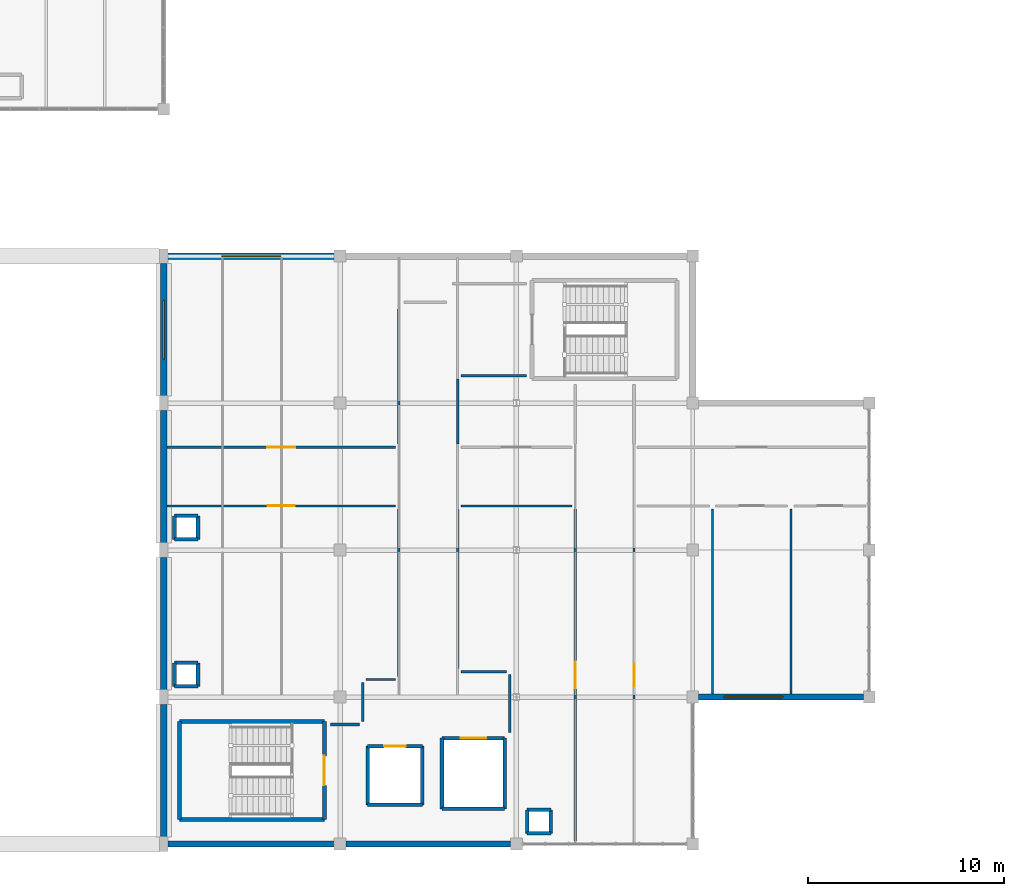
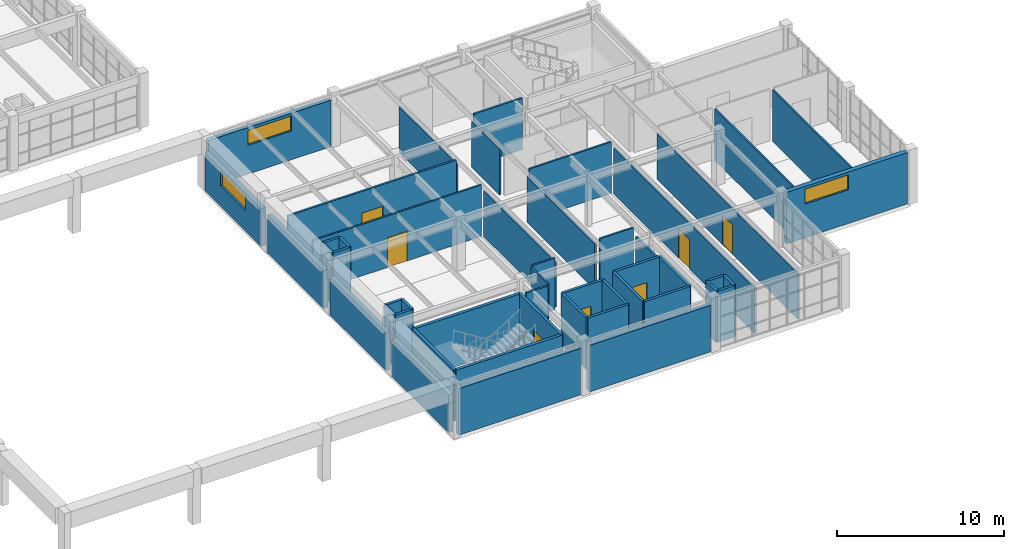
# One storey, part 67 of 76: 49 walls, 7 doors, 3 windows, 10 openings.
"""IFC4 building model written with IfcOpenShell, lengths in metres."""

from ifc_helpers import new_model, si_unit, direction, frame, frame_2d, origin, place, context, subcontext, project, spatial, rectangle, extrude, material, layer, layer_set, type_object, element, fill, save


model = new_model("IFC4")

# Units and contexts
model_context = context("Model", 3, precision=1e-05, world=origin(), true_north=direction((0.0, 1.0)))
body_context = subcontext(model_context, "Body", "Model", "MODEL_VIEW")
ifc_project = project(units=[si_unit("LENGTHUNIT", "METRE"), si_unit("AREAUNIT", "SQUARE_METRE"), si_unit("VOLUMEUNIT", "CUBIC_METRE"), si_unit("PLANEANGLEUNIT", "RADIAN"), si_unit("MASSUNIT", "GRAM", prefix="KILO")], contexts=[model_context])

# Site, building, storey
site_placement = place(None, origin())
site = spatial("IfcSite", under=ifc_project, at=site_placement, CompositionType="ELEMENT")
building_placement = place(site_placement, origin())
building = spatial("IfcBuilding", under=site, at=building_placement, Name="Marnridge Secondary College", CompositionType="ELEMENT")
storey_placement = place(building_placement, frame((0.0, 0.0, 4.5)))
storey = spatial("IfcBuildingStorey", under=building, at=storey_placement, Name="L01", CompositionType="ELEMENT", Elevation=4.5)

# Wall
ifc_material_1 = material(Name="Concrete C40/50 (AS 3600 N40, 40 MPa)", Category="concrete")
ifc_layer_1 = layer(ifc_material_1, 0.199951171875)
ifc_layer_set_1 = layer_set([ifc_layer_1], Name="WT-CORE-RC200")
wall_type_1 = type_object("IfcWallType", Name="WT-CORE-RC200", PredefinedType="SHEAR", material=ifc_layer_set_1)
wall_1_placement = place(storey_placement, frame((90.800048828125, 1.25, 0.0), z_axis=(0.0, 0.0, 1.0), x_axis=(1.0, 0.0, 0.0)))
element("IfcWall", 1, at=wall_1_placement, inside=storey, type_object=wall_type_1, Name="Stair core shear wall WC-L01-0373", PredefinedType="SHEAR", context=body_context, shape_type="SweptSolid", body=[
    extrude(rectangle(XDim=7.39990234375, YDim=0.199951171875, at=frame_2d((3.699951171875, 0.0))), origin(), (0.0, 0.0, 1.0), 3.77001953125),
])

# Wall, opening, door
wall_2_placement = place(storey_placement, frame((98.199951171875, 1.25, 0.0), z_axis=(0.0, 0.0, 1.0), x_axis=(0.0, 1.0, 0.0)))
wall_2 = element("IfcWall", 2, at=wall_2_placement, inside=storey, type_object=wall_type_1, Name="Stair core shear wall WC-L01-0374", PredefinedType="SHEAR", context=body_context, shape_type="SweptSolid", body=[
    extrude(rectangle(XDim=5.0, YDim=0.199951171875, at=frame_2d((2.5, 0.0))), origin(), (0.0, 0.0, 1.0), 3.77001953125),
])
opening_1_placement = place(wall_2_placement, frame((1.75, 0.0, 0.0)))
opening_1 = element("IfcOpeningElement", 3, at=opening_1_placement, cuts=wall_2, Name="Opening DC-L01-032", PredefinedType="OPENING", context=body_context, shape_type="SweptSolid", body=[
    extrude(rectangle(XDim=1.5, YDim=2.14990234375, at=frame_2d((0.75, 1.074951171875))), frame((0.0, 0.10986328125, 0.0), z_axis=(0.0, -1.0, 0.0), x_axis=(1.0, 0.0, 0.0)), (0.0, 0.0, 1.0), 0.219970703125),
])
ifc_material_2 = material(Name="Fire-rated solid-core timber doorset", Category="wood")
door_type_1 = type_object("IfcDoorType", Name="DT-CORE-FD150", OperationType="DOUBLE_DOOR_SINGLE_SWING", PredefinedType="DOOR", material=ifc_material_2)
door_1_placement = place(opening_1_placement, origin())
door_1 = element("IfcDoor", 4, at=door_1_placement, inside=storey, type_object=door_type_1, Name="Fire stair door DC-L01-032", OperationType="DOUBLE_DOOR_SINGLE_SWING", OverallHeight=2.14990234375, OverallWidth=1.5, PredefinedType="DOOR", context=body_context, shape_type="SweptSolid", body=[
    extrude(rectangle(XDim=1.5, YDim=2.14990234375, at=frame_2d((0.75, 1.074951171875))), frame((0.0, 0.02490234375, 0.0), z_axis=(0.0, -1.0, 0.0), x_axis=(1.0, 0.0, 0.0)), (0.0, 0.0, 1.0), 0.050048828125),
])
fill(opening_1, door_1)

# Walls
wall_3_placement = place(storey_placement, frame((98.199951171875, 6.25, 0.0), z_axis=(0.0, 0.0, 1.0), x_axis=(-1.0, 0.0, 0.0)))
element("IfcWall", 5, at=wall_3_placement, inside=storey, type_object=wall_type_1, Name="Stair core shear wall WC-L01-0375", PredefinedType="SHEAR", context=body_context, shape_type="SweptSolid", body=[
    extrude(rectangle(XDim=7.39990234375, YDim=0.199951171875, at=frame_2d((3.699951171875, 0.0))), origin(), (0.0, 0.0, 1.0), 3.77001953125),
])
wall_4_placement = place(storey_placement, frame((90.800048828125, 6.25, 0.0), z_axis=(0.0, 0.0, 1.0), x_axis=(0.0, -1.0, 0.0)))
element("IfcWall", 6, at=wall_4_placement, inside=storey, type_object=wall_type_1, Name="Stair core shear wall WC-L01-0376", PredefinedType="SHEAR", context=body_context, shape_type="SweptSolid", body=[
    extrude(rectangle(XDim=5.0, YDim=0.199951171875, at=frame_2d((2.5, 0.0))), origin(), (0.0, 0.0, 1.0), 3.77001953125),
])

# Wall, opening, window
ifc_material_3 = material(Name="Concrete C40/50 (AS 3600 N40, 40 MPa)", Category="concrete")
ifc_layer_2 = layer(ifc_material_3, 0.320068359375)
ifc_layer_set_2 = layer_set([ifc_layer_2], Name="WT-EXT-RC320")
wall_type_2 = type_object("IfcWallType", Name="WT-EXT-RC320", PredefinedType="SOLIDWALL", material=ifc_layer_set_2)
wall_5_placement = place(storey_placement, frame((90.220947265625, 30.0, 0.0), z_axis=(0.0, 0.0, 1.0), x_axis=(1.0, 0.0, 0.0)))
wall_5 = element("IfcWall", 7, at=wall_5_placement, inside=storey, type_object=wall_type_2, Name="Exterior wall WE-L01-0102", PredefinedType="SOLIDWALL", context=body_context, shape_type="SweptSolid", body=[
    extrude(rectangle(XDim=8.483154296875, YDim=0.320068359375, at=frame_2d((4.24169921875, 0.0))), origin(), (0.0, 0.0, 1.0), 3.409912109375),
])
opening_2_placement = place(wall_5_placement, frame((2.741455078125, 0.0, 2.110107421875)))
opening_2 = element("IfcOpeningElement", 8, at=opening_2_placement, cuts=wall_5, Name="Opening WN-L01-0035", PredefinedType="OPENING", context=body_context, shape_type="SweptSolid", body=[
    extrude(rectangle(XDim=3.0, YDim=1.10009765625, at=frame_2d((1.5, 0.550048828125))), frame((0.0, 0.169921875, 0.0), z_axis=(0.0, -1.0, 0.0), x_axis=(1.0, 0.0, 0.0)), (0.0, 0.0, 1.0), 0.340087890625),
])
ifc_material_4 = material(Name="Translucent acoustic clerestory double glazing", Category="glass")
window_type = type_object("IfcWindowType", Name="WN-EXT-CL3011", PartitioningType="TRIPLE_PANEL_VERTICAL", PredefinedType="WINDOW", material=ifc_material_4)
window_1_placement = place(opening_2_placement, origin())
window_1 = element("IfcWindow", 9, at=window_1_placement, inside=storey, type_object=window_type, Name="Facade window WN-L01-0035", OverallHeight=1.10009765625, OverallWidth=3.0, PartitioningType="TRIPLE_PANEL_VERTICAL", PredefinedType="WINDOW", context=body_context, shape_type="SweptSolid", body=[
    extrude(rectangle(XDim=3.0, YDim=1.10009765625, at=frame_2d((1.5, 0.550048828125))), frame((0.0, 0.030029296875, 0.0), z_axis=(0.0, -1.0, 0.0), x_axis=(1.0, 0.0, 0.0)), (0.0, 0.0, 1.0), 0.06005859375),
])
fill(opening_2, window_1)

wall_6_placement = place(storey_placement, frame((125.7041015625, 7.5, 0.0), z_axis=(0.0, 0.0, 1.0), x_axis=(-1.0, 0.0, 0.0)))
wall_6 = element("IfcWall", 10, at=wall_6_placement, inside=storey, type_object=wall_type_2, Name="Exterior wall WE-L01-0107", PredefinedType="SOLIDWALL", context=body_context, shape_type="SweptSolid", body=[
    extrude(rectangle(XDim=8.408203125, YDim=0.320068359375, at=frame_2d((4.2041015625, 0.0))), origin(), (0.0, 0.0, 1.0), 3.77001953125),
])
opening_3_placement = place(wall_6_placement, frame((4.110107421875, 0.0, 2.469970703125)))
opening_3 = element("IfcOpeningElement", 11, at=opening_3_placement, cuts=wall_6, Name="Opening WN-L01-0036", PredefinedType="OPENING", context=body_context, shape_type="SweptSolid", body=[
    extrude(rectangle(XDim=3.0, YDim=1.10009765625, at=frame_2d((1.5, 0.550048828125))), frame((0.0, 0.169921875, 0.0), z_axis=(0.0, -1.0, 0.0), x_axis=(1.0, 0.0, 0.0)), (0.0, 0.0, 1.0), 0.340087890625),
])
window_2_placement = place(opening_3_placement, origin())
window_2 = element("IfcWindow", 12, at=window_2_placement, inside=storey, type_object=window_type, Name="Facade window WN-L01-0036", OverallHeight=1.10009765625, OverallWidth=3.0, PartitioningType="TRIPLE_PANEL_VERTICAL", PredefinedType="WINDOW", context=body_context, shape_type="SweptSolid", body=[
    extrude(rectangle(XDim=3.0, YDim=1.10009765625, at=frame_2d((1.5, 0.550048828125))), frame((0.0, 0.030029296875, 0.0), z_axis=(0.0, -1.0, 0.0), x_axis=(1.0, 0.0, 0.0)), (0.0, 0.0, 1.0), 0.06005859375),
])
fill(opening_3, window_2)

# Walls
wall_7_placement = place(storey_placement, frame((107.7041015625, 0.0, 0.0), z_axis=(0.0, 0.0, 1.0), x_axis=(-1.0, 0.0, 0.0)))
element("IfcWall", 13, at=wall_7_placement, inside=storey, type_object=wall_type_2, Name="Exterior wall WE-L01-0108", PredefinedType="SOLIDWALL", context=body_context, shape_type="SweptSolid", body=[
    extrude(rectangle(XDim=8.408203125, YDim=0.320068359375, at=frame_2d((4.2041015625, 0.0))), origin(), (0.0, 0.0, 1.0), 3.409912109375),
])
wall_8_placement = place(storey_placement, frame((98.7041015625, 0.0, 0.0), z_axis=(0.0, 0.0, 1.0), x_axis=(-1.0, 0.0, 0.0)))
element("IfcWall", 14, at=wall_8_placement, inside=storey, type_object=wall_type_2, Name="Exterior wall WE-L01-0109", PredefinedType="SOLIDWALL", context=body_context, shape_type="SweptSolid", body=[
    extrude(rectangle(XDim=8.483154296875, YDim=0.320068359375, at=frame_2d((4.24169921875, 0.0))), origin(), (0.0, 0.0, 1.0), 3.409912109375),
])
for number, where, z_axis, x_axis, name in (
    (15, (90.0, 0.37109375, 0.0), (0.0, 0.0, 1.0), (0.0, 1.0, 0.0), "Exterior wall WE-L01-0110"),
    (16, (90.0, 7.87109375, 0.0), (0.0, 0.0, 1.0), (0.0, 1.0, 0.0), "Exterior wall WE-L01-0111"),
    (17, (90.0, 15.37109375, 0.0), (0.0, 0.0, 1.0), (0.0, 1.0, 0.0), "Exterior wall WE-L01-0112"),
):
    element("IfcWall", number, at=place(storey_placement, frame(where, z_axis=z_axis, x_axis=x_axis)), inside=storey, type_object=wall_type_2, Name=name, PredefinedType="SOLIDWALL", context=body_context, shape_type="SweptSolid", body=[
        extrude(rectangle(XDim=6.7578125, YDim=0.320068359375, at=frame_2d((3.37890625, 0.0))), origin(), (0.0, 0.0, 1.0), 2.7919921875),
    ])

# Wall, opening, window
wall_9_placement = place(storey_placement, frame((90.0, 22.87109375, 0.0), z_axis=(0.0, 0.0, 1.0), x_axis=(0.0, 1.0, 0.0)))
wall_9 = element("IfcWall", 18, at=wall_9_placement, inside=storey, type_object=wall_type_2, Name="Exterior wall WE-L01-0113", PredefinedType="SOLIDWALL", context=body_context, shape_type="SweptSolid", body=[
    extrude(rectangle(XDim=6.7578125, YDim=0.320068359375, at=frame_2d((3.37890625, 0.0))), origin(), (0.0, 0.0, 1.0), 2.7919921875),
])
opening_4_placement = place(wall_9_placement, frame((1.87890625, 0.0, 1.491943359375)))
opening_4 = element("IfcOpeningElement", 19, at=opening_4_placement, cuts=wall_9, Name="Opening WN-L01-0037", PredefinedType="OPENING", context=body_context, shape_type="SweptSolid", body=[
    extrude(rectangle(XDim=3.0, YDim=1.10009765625, at=frame_2d((1.5, 0.550048828125))), frame((0.0, 0.169921875, 0.0), z_axis=(0.0, -1.0, 0.0), x_axis=(1.0, 0.0, 0.0)), (0.0, 0.0, 1.0), 0.340087890625),
])
window_3_placement = place(opening_4_placement, origin())
window_3 = element("IfcWindow", 20, at=window_3_placement, inside=storey, type_object=window_type, Name="Facade window WN-L01-0037", OverallHeight=1.10009765625, OverallWidth=3.0, PartitioningType="TRIPLE_PANEL_VERTICAL", PredefinedType="WINDOW", context=body_context, shape_type="SweptSolid", body=[
    extrude(rectangle(XDim=3.0, YDim=1.10009765625, at=frame_2d((1.5, 0.550048828125))), frame((0.0, 0.030029296875, 0.0), z_axis=(0.0, -1.0, 0.0), x_axis=(1.0, 0.0, 0.0)), (0.0, 0.0, 1.0), 0.06005859375),
])
fill(opening_4, window_3)

# Walls
ifc_material_5 = material(Name="Acoustic plasterboard partition Rw45", Category="gypsum")
ifc_layer_3 = layer(ifc_material_5, 0.1201171875)
ifc_layer_set_3 = layer_set([ifc_layer_3], Name="WT-PART-AC120")
wall_type_3 = type_object("IfcWallType", Name="WT-PART-AC120", PredefinedType="PARTITIONING", material=ifc_layer_set_3)
wall_10_placement = place(storey_placement, frame((110.840087890625, 17.25, 0.0), z_axis=(0.0, 0.0, 1.0), x_axis=(-1.0, 0.0, 0.0)))
element("IfcWall", 21, at=wall_10_placement, inside=storey, type_object=wall_type_3, Name="Interior partition WP-L01-0163", PredefinedType="PARTITIONING", context=body_context, shape_type="SweptSolid", body=[
    extrude(rectangle(XDim=5.68017578125, YDim=0.1201171875, at=frame_2d((2.840087890625, 0.0))), origin(), (0.0, 0.0, 1.0), 3.77001953125),
])
wall_11_placement = place(storey_placement, frame((105.159912109375, 8.800048828125, 0.0), z_axis=(0.0, 0.0, 1.0), x_axis=(1.0, 0.0, 0.0)))
element("IfcWall", 22, at=wall_11_placement, inside=storey, type_object=wall_type_3, Name="Interior partition WP-L01-0165", PredefinedType="PARTITIONING", context=body_context, shape_type="SweptSolid", body=[
    extrude(rectangle(XDim=2.330078125, YDim=0.1201171875, at=frame_2d((1.1650390625, 0.0))), origin(), (0.0, 0.0, 1.0), 3.77001953125),
])
wall_12_placement = place(storey_placement, frame((100.31005859375, 8.39990234375, 0.0), z_axis=(0.0, 0.0, 1.0), x_axis=(1.0, 0.0, 0.0)))
element("IfcWall", 23, at=wall_12_placement, inside=storey, type_object=wall_type_3, Name="Interior partition WP-L01-0167", PredefinedType="PARTITIONING", context=body_context, shape_type="SweptSolid", body=[
    extrude(rectangle(XDim=1.530029296875, YDim=0.1201171875, at=frame_2d((0.76513671875, 0.0))), origin(), (0.0, 0.0, 1.0), 3.77001953125),
])

# Wall, opening, door
wall_13_placement = place(storey_placement, frame((101.840087890625, 17.25, 0.0), z_axis=(0.0, 0.0, 1.0), x_axis=(-1.0, 0.0, 0.0)))
wall_13 = element("IfcWall", 24, at=wall_13_placement, inside=storey, type_object=wall_type_3, Name="Interior partition WP-L01-0169", PredefinedType="PARTITIONING", context=body_context, shape_type="SweptSolid", body=[
    extrude(rectangle(XDim=11.68017578125, YDim=0.1201171875, at=frame_2d((5.840087890625, 0.0))), origin(), (0.0, 0.0, 1.0), 3.77001953125),
])
opening_5_placement = place(wall_13_placement, frame((5.155029296875, 0.0, 0.0)))
opening_5 = element("IfcOpeningElement", 25, at=opening_5_placement, cuts=wall_13, Name="Opening DI-L01-0060", PredefinedType="OPENING", context=body_context, shape_type="SweptSolid", body=[
    extrude(rectangle(XDim=1.3701171875, YDim=2.179931640625, at=frame_2d((0.68505859375, 1.08984375))), frame((0.0, 0.070068359375, 0.0), z_axis=(0.0, -1.0, 0.0), x_axis=(1.0, 0.0, 0.0)), (0.0, 0.0, 1.0), 0.14013671875),
])
ifc_material_6 = material(Name="Solid-core acoustic hoop-pine classroom doorset", Category="wood")
door_type_2 = type_object("IfcDoorType", Name="DT-RM-VAR12", OperationType="NOTDEFINED", PredefinedType="DOOR", material=ifc_material_6)
door_2_placement = place(opening_5_placement, origin())
door_2 = element("IfcDoor", 26, at=door_2_placement, inside=storey, type_object=door_type_2, Name="Interior door DI-L01-0060", OperationType="SINGLE_SWING_RIGHT", OverallHeight=2.179931640625, OverallWidth=1.3701171875, PredefinedType="DOOR", context=body_context, shape_type="SweptSolid", body=[
    extrude(rectangle(XDim=1.3701171875, YDim=2.179931640625, at=frame_2d((0.68505859375, 1.08984375))), frame((0.0, 0.02490234375, 0.0), z_axis=(0.0, -1.0, 0.0), x_axis=(1.0, 0.0, 0.0)), (0.0, 0.0, 1.0), 0.050048828125),
])
fill(opening_5, door_2)

# Walls
wall_14_placement = place(storey_placement, frame((100.14990234375, 6.260009765625, 0.0), z_axis=(0.0, 0.0, 1.0), x_axis=(0.0, 1.0, 0.0)))
element("IfcWall", 27, at=wall_14_placement, inside=storey, type_object=wall_type_3, Name="Interior partition WP-L01-0171", PredefinedType="PARTITIONING", context=body_context, shape_type="SweptSolid", body=[
    extrude(rectangle(XDim=1.97998046875, YDim=0.1201171875, at=frame_2d((0.989990234375, 0.0))), origin(), (0.0, 0.0, 1.0), 3.77001953125),
])
wall_15_placement = place(storey_placement, frame((102.0, 20.409912109375, 0.0), z_axis=(0.0, 0.0, 1.0), x_axis=(0.0, 1.0, 0.0)))
element("IfcWall", 28, at=wall_15_placement, inside=storey, type_object=wall_type_3, Name="Interior partition WP-L01-0173", PredefinedType="PARTITIONING", context=body_context, shape_type="SweptSolid", body=[
    extrude(rectangle(XDim=6.880126953125, YDim=0.1201171875, at=frame_2d((3.43994140625, 0.0))), origin(), (0.0, 0.0, 1.0), 3.362060546875),
])
wall_16_placement = place(storey_placement, frame((105.0, 23.739990234375, 0.0), z_axis=(0.0, 0.0, 1.0), x_axis=(0.0, -1.0, 0.0)))
element("IfcWall", 29, at=wall_16_placement, inside=storey, type_object=wall_type_3, Name="Interior partition WP-L01-0177", PredefinedType="PARTITIONING", context=body_context, shape_type="SweptSolid", body=[
    extrude(rectangle(XDim=3.330078125, YDim=0.1201171875, at=frame_2d((1.6650390625, 0.0))), origin(), (0.0, 0.0, 1.0), 3.362060546875),
])

# Wall, opening, door
ifc_material_7 = material(Name="Acoustic plasterboard partition Rw48", Category="gypsum")
ifc_layer_4 = layer(ifc_material_7, 0.135009765625)
ifc_layer_set_4 = layer_set([ifc_layer_4], Name="WT-PART-AC135")
wall_type_4 = type_object("IfcWallType", Name="WT-PART-AC135", PredefinedType="PARTITIONING", material=ifc_layer_set_4)
wall_17_placement = place(storey_placement, frame((111.0, 0.159912109375, 0.0), z_axis=(0.0, 0.0, 1.0), x_axis=(0.0, 1.0, 0.0)))
wall_17 = element("IfcWall", 30, at=wall_17_placement, inside=storey, type_object=wall_type_4, Name="Interior partition WP-L01-0162", PredefinedType="PARTITIONING", context=body_context, shape_type="SweptSolid", body=[
    extrude(rectangle(XDim=16.93017578125, YDim=0.135009765625, at=frame_2d((8.465087890625, 0.0))), origin(), (0.0, 0.0, 1.0), 3.362060546875),
])
opening_6_placement = place(wall_17_placement, frame((7.800048828125, 0.0, 0.0)))
opening_6 = element("IfcOpeningElement", 31, at=opening_6_placement, cuts=wall_17, Name="Opening DI-L01-0059", PredefinedType="OPENING", context=body_context, shape_type="SweptSolid", body=[
    extrude(rectangle(XDim=1.330078125, YDim=2.179931640625, at=frame_2d((0.6650390625, 1.08984375))), frame((0.0, 0.077392578125, 0.0), z_axis=(0.0, -1.0, 0.0), x_axis=(1.0, 0.0, 0.0)), (0.0, 0.0, 1.0), 0.155029296875),
])
ifc_material_8 = material(Name="Solid-core acoustic hoop-pine classroom doorset", Category="wood")
door_type_3 = type_object("IfcDoorType", Name="DT-RM-VAR11", OperationType="NOTDEFINED", PredefinedType="DOOR", material=ifc_material_8)
door_3_placement = place(opening_6_placement, origin())
door_3 = element("IfcDoor", 32, at=door_3_placement, inside=storey, type_object=door_type_3, Name="Interior door DI-L01-0059", OperationType="SINGLE_SWING_LEFT", OverallHeight=2.179931640625, OverallWidth=1.330078125, PredefinedType="DOOR", context=body_context, shape_type="SweptSolid", body=[
    extrude(rectangle(XDim=1.330078125, YDim=2.179931640625, at=frame_2d((0.6650390625, 1.08984375))), frame((0.0, 0.02490234375, 0.0), z_axis=(0.0, -1.0, 0.0), x_axis=(1.0, 0.0, 0.0)), (0.0, 0.0, 1.0), 0.050048828125),
])
fill(opening_6, door_3)

# Walls
wall_18_placement = place(storey_placement, frame((105.0, 17.090087890625, 0.0), z_axis=(0.0, 0.0, 1.0), x_axis=(0.0, -1.0, 0.0)))
element("IfcWall", 33, at=wall_18_placement, inside=storey, type_object=wall_type_4, Name="Interior partition WP-L01-0164", PredefinedType="PARTITIONING", context=body_context, shape_type="SweptSolid", body=[
    extrude(rectangle(XDim=8.130126953125, YDim=0.135009765625, at=frame_2d((4.06494140625, 0.0))), origin(), (0.0, 0.0, 1.0), 3.362060546875),
])
wall_19_placement = place(storey_placement, frame((107.64990234375, 8.639892578125, 0.0), z_axis=(0.0, 0.0, 1.0), x_axis=(0.0, -1.0, 0.0)))
element("IfcWall", 34, at=wall_19_placement, inside=storey, type_object=wall_type_4, Name="Interior partition WP-L01-0166", PredefinedType="PARTITIONING", context=body_context, shape_type="SweptSolid", body=[
    extrude(rectangle(XDim=2.93994140625, YDim=0.135009765625, at=frame_2d((1.469970703125, 0.0))), origin(), (0.0, 0.0, 1.0), 3.159912109375),
])
wall_20_placement = place(storey_placement, frame((102.0, 8.56005859375, 0.0), z_axis=(0.0, 0.0, 1.0), x_axis=(0.0, 1.0, 0.0)))
element("IfcWall", 35, at=wall_20_placement, inside=storey, type_object=wall_type_4, Name="Interior partition WP-L01-0168", PredefinedType="PARTITIONING", context=body_context, shape_type="SweptSolid", body=[
    extrude(rectangle(XDim=8.530029296875, YDim=0.135009765625, at=frame_2d((4.26513671875, 0.0))), origin(), (0.0, 0.0, 1.0), 3.362060546875),
])
wall_21_placement = place(storey_placement, frame((98.5, 6.10009765625, 0.0), z_axis=(0.0, 0.0, 1.0), x_axis=(1.0, 0.0, 0.0)))
element("IfcWall", 36, at=wall_21_placement, inside=storey, type_object=wall_type_4, Name="Interior partition WP-L01-0170", PredefinedType="PARTITIONING", context=body_context, shape_type="SweptSolid", body=[
    extrude(rectangle(XDim=1.489990234375, YDim=0.135009765625, at=frame_2d((0.7451171875, 0.0))), origin(), (0.0, 0.0, 1.0), 3.77001953125),
])

# Wall, opening, door
wall_22_placement = place(storey_placement, frame((90.159912109375, 20.25, 0.0), z_axis=(0.0, 0.0, 1.0), x_axis=(1.0, 0.0, 0.0)))
wall_22 = element("IfcWall", 37, at=wall_22_placement, inside=storey, type_object=wall_type_4, Name="Interior partition WP-L01-0172", PredefinedType="PARTITIONING", context=body_context, shape_type="SweptSolid", body=[
    extrude(rectangle(XDim=11.68017578125, YDim=0.135009765625, at=frame_2d((5.840087890625, 0.0))), origin(), (0.0, 0.0, 1.0), 3.77001953125),
])
opening_7_placement = place(wall_22_placement, frame((5.1201171875, 0.0, 0.0)))
opening_7 = element("IfcOpeningElement", 38, at=opening_7_placement, cuts=wall_22, Name="Opening DI-L01-0061", PredefinedType="OPENING", context=body_context, shape_type="SweptSolid", body=[
    extrude(rectangle(XDim=1.43994140625, YDim=2.179931640625, at=frame_2d((0.719970703125, 1.08984375))), frame((0.0, 0.077392578125, 0.0), z_axis=(0.0, -1.0, 0.0), x_axis=(1.0, 0.0, 0.0)), (0.0, 0.0, 1.0), 0.155029296875),
])
ifc_material_9 = material(Name="Solid-core acoustic hoop-pine classroom doorset", Category="wood")
door_type_4 = type_object("IfcDoorType", Name="DT-RM-VAR13", OperationType="NOTDEFINED", PredefinedType="DOOR", material=ifc_material_9)
door_4_placement = place(opening_7_placement, origin())
door_4 = element("IfcDoor", 39, at=door_4_placement, inside=storey, type_object=door_type_4, Name="Interior door DI-L01-0061", OperationType="SINGLE_SWING_LEFT", OverallHeight=2.179931640625, OverallWidth=1.43994140625, PredefinedType="DOOR", context=body_context, shape_type="SweptSolid", body=[
    extrude(rectangle(XDim=1.43994140625, YDim=2.179931640625, at=frame_2d((0.719970703125, 1.08984375))), frame((0.0, 0.02490234375, 0.0), z_axis=(0.0, -1.0, 0.0), x_axis=(1.0, 0.0, 0.0)), (0.0, 0.0, 1.0), 0.050048828125),
])
fill(opening_7, door_4)

# Walls
wall_23_placement = place(storey_placement, frame((108.5, 23.89990234375, 0.0), z_axis=(0.0, 0.0, 1.0), x_axis=(-1.0, 0.0, 0.0)))
element("IfcWall", 40, at=wall_23_placement, inside=storey, type_object=wall_type_4, Name="Interior partition WP-L01-0176", PredefinedType="PARTITIONING", context=body_context, shape_type="SweptSolid", body=[
    extrude(rectangle(XDim=3.340087890625, YDim=0.135009765625, at=frame_2d((1.669921875, 0.0))), origin(), (0.0, 0.0, 1.0), 3.77001953125),
])
ifc_material_10 = material(Name="Moisture-resistant plasterboard sanitary partition", Category="gypsum")
ifc_layer_5 = layer(ifc_material_10, 0.110107421875)
ifc_layer_set_5 = layer_set([ifc_layer_5], Name="WT-PART-WT110")
wall_type_5 = type_object("IfcWallType", Name="WT-PART-WT110", PredefinedType="PARTITIONING", material=ifc_layer_set_5)
wall_24_placement = place(storey_placement, frame((118.0, 7.659912109375, 0.0), z_axis=(0.0, 0.0, 1.0), x_axis=(0.0, 1.0, 0.0)))
element("IfcWall", 41, at=wall_24_placement, inside=storey, type_object=wall_type_5, Name="Interior partition WP-L01-0156", PredefinedType="PARTITIONING", context=body_context, shape_type="SweptSolid", body=[
    extrude(rectangle(XDim=9.43017578125, YDim=0.110107421875, at=frame_2d((4.715087890625, 0.0))), origin(), (0.0, 0.0, 1.0), 3.77001953125),
])

# Wall, opening, door
wall_25_placement = place(storey_placement, frame((114.0, 17.090087890625, 0.0), z_axis=(0.0, 0.0, 1.0), x_axis=(0.0, -1.0, 0.0)))
wall_25 = element("IfcWall", 42, at=wall_25_placement, inside=storey, type_object=wall_type_5, Name="Interior partition WP-L01-0157", PredefinedType="PARTITIONING", context=body_context, shape_type="SweptSolid", body=[
    extrude(rectangle(XDim=16.93017578125, YDim=0.110107421875, at=frame_2d((8.465087890625, 0.0))), origin(), (0.0, 0.0, 1.0), 3.362060546875),
])
opening_8_placement = place(wall_25_placement, frame((7.885009765625, 0.0, 0.0)))
opening_8 = element("IfcOpeningElement", 43, at=opening_8_placement, cuts=wall_25, Name="Opening DI-L01-0056", PredefinedType="OPENING", context=body_context, shape_type="SweptSolid", body=[
    extrude(rectangle(XDim=1.159912109375, YDim=2.159912109375, at=frame_2d((0.580078125, 1.080078125))), frame((0.0, 0.06494140625, 0.0), z_axis=(0.0, -1.0, 0.0), x_axis=(1.0, 0.0, 0.0)), (0.0, 0.0, 1.0), 0.130126953125),
])
ifc_material_11 = material(Name="Solid-core acoustic hoop-pine classroom doorset", Category="wood")
door_type_5 = type_object("IfcDoorType", Name="DT-RM-VAR08", OperationType="NOTDEFINED", PredefinedType="DOOR", material=ifc_material_11)
door_5_placement = place(opening_8_placement, origin())
door_5 = element("IfcDoor", 44, at=door_5_placement, inside=storey, type_object=door_type_5, Name="Interior door DI-L01-0056", OperationType="SINGLE_SWING_RIGHT", OverallHeight=2.159912109375, OverallWidth=1.159912109375, PredefinedType="DOOR", context=body_context, shape_type="SweptSolid", body=[
    extrude(rectangle(XDim=1.159912109375, YDim=2.159912109375, at=frame_2d((0.580078125, 1.080078125))), frame((0.0, 0.02490234375, 0.0), z_axis=(0.0, -1.0, 0.0), x_axis=(1.0, 0.0, 0.0)), (0.0, 0.0, 1.0), 0.050048828125),
])
fill(opening_8, door_5)

# Walls
wall_26_placement = place(storey_placement, frame((122.0, 7.659912109375, 0.0), z_axis=(0.0, 0.0, 1.0), x_axis=(0.0, 1.0, 0.0)))
element("IfcWall", 45, at=wall_26_placement, inside=storey, type_object=wall_type_5, Name="Interior partition WP-L01-0159", PredefinedType="PARTITIONING", context=body_context, shape_type="SweptSolid", body=[
    extrude(rectangle(XDim=9.43017578125, YDim=0.110107421875, at=frame_2d((4.715087890625, 0.0))), origin(), (0.0, 0.0, 1.0), 3.77001953125),
])
ifc_material_12 = material(Name="Concrete C40/50 (AS 3600 N40, 40 MPa)", Category="concrete")
ifc_layer_6 = layer(ifc_material_12, 0.179931640625)
ifc_layer_set_6 = layer_set([ifc_layer_6], Name="WT-SHAFT-RC180")
wall_type_6 = type_object("IfcWallType", Name="WT-SHAFT-RC180", PredefinedType="SHEAR", material=ifc_layer_set_6)
for number, where, z_axis, x_axis, name in (
    (46, (109.75, 0.550048828125, 0.0), (0.0, 0.0, 1.0), (-1.0, 0.0, 0.0), "Service riser shaft wall WR-L01-0077"),
    (47, (108.550048828125, 0.550048828125, 0.0), (0.0, 0.0, 1.0), (0.0, 1.0, 0.0), "Service riser shaft wall WR-L01-0078"),
    (48, (108.550048828125, 1.75, 0.0), (0.0, 0.0, 1.0), (1.0, 0.0, 0.0), "Service riser shaft wall WR-L01-0079"),
    (49, (109.75, 1.75, 0.0), (0.0, 0.0, 1.0), (0.0, -1.0, 0.0), "Service riser shaft wall WR-L01-0080"),
    (50, (91.75, 8.050048828125, 0.0), (0.0, 0.0, 1.0), (-1.0, 0.0, 0.0), "Service riser shaft wall WR-L01-0081"),
    (51, (90.550048828125, 8.050048828125, 0.0), (0.0, 0.0, 1.0), (0.0, 1.0, 0.0), "Service riser shaft wall WR-L01-0082"),
    (52, (90.550048828125, 9.25, 0.0), (0.0, 0.0, 1.0), (1.0, 0.0, 0.0), "Service riser shaft wall WR-L01-0083"),
    (53, (91.75, 9.25, 0.0), (0.0, 0.0, 1.0), (0.0, -1.0, 0.0), "Service riser shaft wall WR-L01-0084"),
    (54, (91.75, 15.550048828125, 0.0), (0.0, 0.0, 1.0), (-1.0, 0.0, 0.0), "Service riser shaft wall WR-L01-0085"),
    (55, (90.550048828125, 15.550048828125, 0.0), (0.0, 0.0, 1.0), (0.0, 1.0, 0.0), "Service riser shaft wall WR-L01-0086"),
    (56, (90.550048828125, 16.75, 0.0), (0.0, 0.0, 1.0), (1.0, 0.0, 0.0), "Service riser shaft wall WR-L01-0087"),
    (57, (91.75, 16.75, 0.0), (0.0, 0.0, 1.0), (0.0, -1.0, 0.0), "Service riser shaft wall WR-L01-0088"),
):
    element("IfcWall", number, at=place(storey_placement, frame(where, z_axis=z_axis, x_axis=x_axis)), inside=storey, type_object=wall_type_6, Name=name, PredefinedType="SHEAR", context=body_context, shape_type="SweptSolid", body=[
        extrude(rectangle(XDim=1.199951171875, YDim=0.179931640625, at=frame_2d((0.60009765625, 0.0))), origin(), (0.0, 0.0, 1.0), 3.77001953125),
    ])
wall_27_placement = place(storey_placement, frame((103.199951171875, 2.0, 0.0), z_axis=(0.0, 0.0, 1.0), x_axis=(-1.0, 0.0, 0.0)))
element("IfcWall", 58, at=wall_27_placement, inside=storey, type_object=wall_type_6, Name="Lift shaft wall WL-L01-0473", PredefinedType="SHEAR", context=body_context, shape_type="SweptSolid", body=[
    extrude(rectangle(XDim=2.800048828125, YDim=0.179931640625, at=frame_2d((1.39990234375, 0.0))), origin(), (0.0, 0.0, 1.0), 3.77001953125),
])
wall_28_placement = place(storey_placement, frame((100.39990234375, 2.0, 0.0), z_axis=(0.0, 0.0, 1.0), x_axis=(0.0, 1.0, 0.0)))
element("IfcWall", 59, at=wall_28_placement, inside=storey, type_object=wall_type_6, Name="Lift shaft wall WL-L01-0474", PredefinedType="SHEAR", context=body_context, shape_type="SweptSolid", body=[
    extrude(rectangle(XDim=3.0, YDim=0.179931640625, at=frame_2d((1.5, 0.0))), origin(), (0.0, 0.0, 1.0), 3.77001953125),
])

# Wall, opening, door
wall_29_placement = place(storey_placement, frame((100.39990234375, 5.0, 0.0), z_axis=(0.0, 0.0, 1.0), x_axis=(1.0, 0.0, 0.0)))
wall_29 = element("IfcWall", 60, at=wall_29_placement, inside=storey, type_object=wall_type_6, Name="Lift shaft wall WL-L01-0475", PredefinedType="SHEAR", context=body_context, shape_type="SweptSolid", body=[
    extrude(rectangle(XDim=2.800048828125, YDim=0.179931640625, at=frame_2d((1.39990234375, 0.0))), origin(), (0.0, 0.0, 1.0), 3.77001953125),
])
opening_9_placement = place(wall_29_placement, frame((0.85009765625, 0.0, 0.0)))
opening_9 = element("IfcOpeningElement", 61, at=opening_9_placement, cuts=wall_29, Name="Opening LD-LC-04-L01", PredefinedType="OPENING", context=body_context, shape_type="SweptSolid", body=[
    extrude(rectangle(XDim=1.10009765625, YDim=2.14990234375, at=frame_2d((0.550048828125, 1.074951171875))), frame((0.0, 0.099853515625, 0.0), z_axis=(0.0, -1.0, 0.0), x_axis=(1.0, 0.0, 0.0)), (0.0, 0.0, 1.0), 0.199951171875),
])
ifc_material_13 = material(Name="Stainless steel Grade 350 automatic sliding lift landing doorset", Category="steel")
door_type_6 = type_object("IfcDoorType", Name="DT-LIFT-LD110", OperationType="SLIDING_TO_LEFT", PredefinedType="DOOR", material=ifc_material_13)
door_6_placement = place(opening_9_placement, origin())
door_6 = element("IfcDoor", 62, at=door_6_placement, inside=storey, type_object=door_type_6, Name="Sliding lift landing door LD-LC-04-L01", OperationType="SLIDING_TO_LEFT", OverallHeight=2.14990234375, OverallWidth=1.10009765625, PredefinedType="DOOR", context=body_context, shape_type="SweptSolid", body=[
    extrude(rectangle(XDim=1.10009765625, YDim=2.14990234375, at=frame_2d((0.550048828125, 1.074951171875))), frame((0.0, 0.02490234375, 0.0), z_axis=(0.0, -1.0, 0.0), x_axis=(1.0, 0.0, 0.0)), (0.0, 0.0, 1.0), 0.050048828125),
])
fill(opening_9, door_6)

# Walls
wall_30_placement = place(storey_placement, frame((103.199951171875, 5.0, 0.0), z_axis=(0.0, 0.0, 1.0), x_axis=(0.0, -1.0, 0.0)))
element("IfcWall", 63, at=wall_30_placement, inside=storey, type_object=wall_type_6, Name="Lift shaft wall WL-L01-0476", PredefinedType="SHEAR", context=body_context, shape_type="SweptSolid", body=[
    extrude(rectangle(XDim=3.0, YDim=0.179931640625, at=frame_2d((1.5, 0.0))), origin(), (0.0, 0.0, 1.0), 3.77001953125),
])
wall_31_placement = place(storey_placement, frame((107.39990234375, 1.800048828125, 0.0), z_axis=(0.0, 0.0, 1.0), x_axis=(-1.0, 0.0, 0.0)))
element("IfcWall", 64, at=wall_31_placement, inside=storey, type_object=wall_type_6, Name="Lift shaft wall WL-L01-0493", PredefinedType="SHEAR", context=body_context, shape_type="SweptSolid", body=[
    extrude(rectangle(XDim=3.199951171875, YDim=0.179931640625, at=frame_2d((1.60009765625, 0.0))), origin(), (0.0, 0.0, 1.0), 3.77001953125),
])
wall_32_placement = place(storey_placement, frame((104.199951171875, 1.800048828125, 0.0), z_axis=(0.0, 0.0, 1.0), x_axis=(0.0, 1.0, 0.0)))
element("IfcWall", 65, at=wall_32_placement, inside=storey, type_object=wall_type_6, Name="Lift shaft wall WL-L01-0494", PredefinedType="SHEAR", context=body_context, shape_type="SweptSolid", body=[
    extrude(rectangle(XDim=3.599853515625, YDim=0.179931640625, at=frame_2d((1.7998046875, 0.0))), origin(), (0.0, 0.0, 1.0), 3.77001953125),
])

# Wall, opening, door
wall_33_placement = place(storey_placement, frame((104.199951171875, 5.39990234375, 0.0), z_axis=(0.0, 0.0, 1.0), x_axis=(1.0, 0.0, 0.0)))
wall_33 = element("IfcWall", 66, at=wall_33_placement, inside=storey, type_object=wall_type_6, Name="Lift shaft wall WL-L01-0495", PredefinedType="SHEAR", context=body_context, shape_type="SweptSolid", body=[
    extrude(rectangle(XDim=3.199951171875, YDim=0.179931640625, at=frame_2d((1.60009765625, 0.0))), origin(), (0.0, 0.0, 1.0), 3.77001953125),
])
opening_10_placement = place(wall_33_placement, frame((0.949951171875, 0.0, 0.0)))
opening_10 = element("IfcOpeningElement", 67, at=opening_10_placement, cuts=wall_33, Name="Opening LD-LC-06-L01", PredefinedType="OPENING", context=body_context, shape_type="SweptSolid", body=[
    extrude(rectangle(XDim=1.300048828125, YDim=2.199951171875, at=frame_2d((0.64990234375, 1.10009765625))), frame((0.0, 0.099853515625, 0.0), z_axis=(0.0, -1.0, 0.0), x_axis=(1.0, 0.0, 0.0)), (0.0, 0.0, 1.0), 0.199951171875),
])
ifc_material_14 = material(Name="Stainless steel Grade 350 automatic goods lift landing doorset", Category="steel")
door_type_7 = type_object("IfcDoorType", Name="DT-LIFT-LD130", OperationType="SLIDING_TO_LEFT", PredefinedType="DOOR", material=ifc_material_14)
door_7_placement = place(opening_10_placement, origin())
door_7 = element("IfcDoor", 68, at=door_7_placement, inside=storey, type_object=door_type_7, Name="Sliding lift landing door LD-LC-06-L01", OperationType="SLIDING_TO_LEFT", OverallHeight=2.199951171875, OverallWidth=1.300048828125, PredefinedType="DOOR", context=body_context, shape_type="SweptSolid", body=[
    extrude(rectangle(XDim=1.300048828125, YDim=2.199951171875, at=frame_2d((0.64990234375, 1.10009765625))), frame((0.0, 0.02490234375, 0.0), z_axis=(0.0, -1.0, 0.0), x_axis=(1.0, 0.0, 0.0)), (0.0, 0.0, 1.0), 0.050048828125),
])
fill(opening_10, door_7)

# Wall
wall_34_placement = place(storey_placement, frame((107.39990234375, 5.39990234375, 0.0), z_axis=(0.0, 0.0, 1.0), x_axis=(0.0, -1.0, 0.0)))
element("IfcWall", 69, at=wall_34_placement, inside=storey, type_object=wall_type_6, Name="Lift shaft wall WL-L01-0496", PredefinedType="SHEAR", context=body_context, shape_type="SweptSolid", body=[
    extrude(rectangle(XDim=3.599853515625, YDim=0.179931640625, at=frame_2d((1.7998046875, 0.0))), origin(), (0.0, 0.0, 1.0), 3.77001953125),
])

save(model, "model.ifc")
